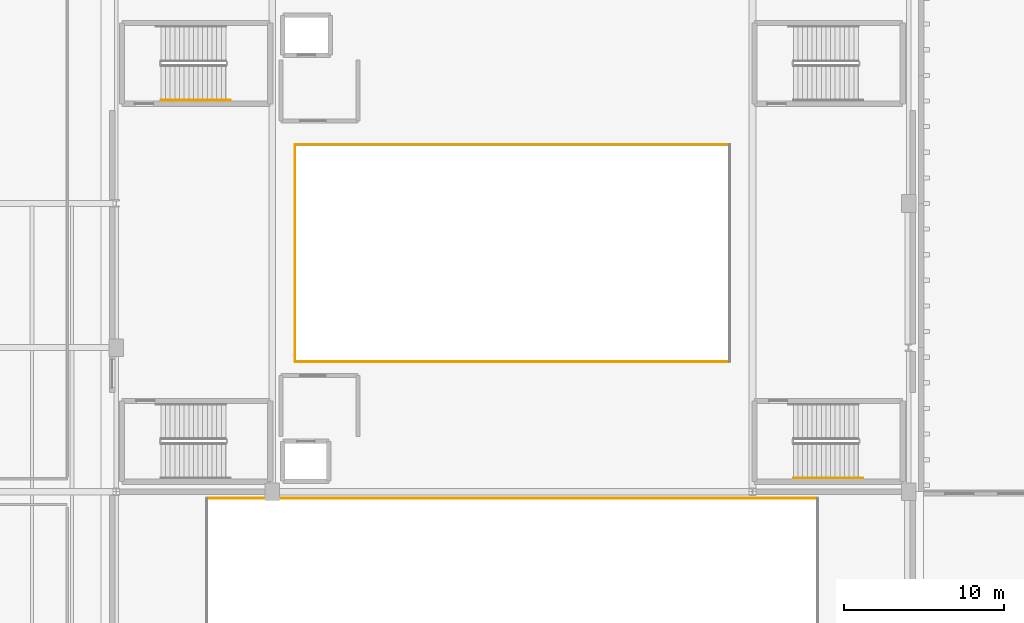
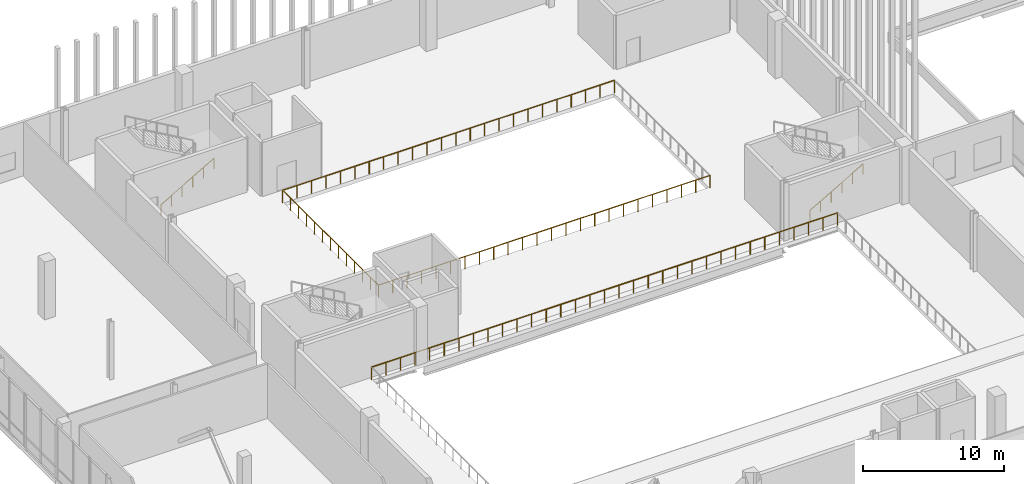
# One storey, part 55 of 60: 6 railings.
"""IFC4 building model written with IfcOpenShell, lengths in metres."""

from ifc_helpers import new_model, si_unit, direction, frame, origin, origin_2d, place, context, subcontext, project, spatial, circle, extrude, material, type_object, element, save


model = new_model("IFC4")

# Units and contexts
model_context = context("Model", 3, precision=1e-05, world=origin(), true_north=direction((0.0, 1.0)))
body_context = subcontext(model_context, "Body", "Model", "MODEL_VIEW")
ifc_project = project(units=[si_unit("LENGTHUNIT", "METRE"), si_unit("AREAUNIT", "SQUARE_METRE"), si_unit("VOLUMEUNIT", "CUBIC_METRE"), si_unit("PLANEANGLEUNIT", "RADIAN"), si_unit("MASSUNIT", "GRAM", prefix="KILO")], contexts=[model_context])

# Site, building, storey
site_placement = place(None, origin())
site = spatial("IfcSite", under=ifc_project, at=site_placement, CompositionType="ELEMENT")
building_placement = place(site_placement, origin())
building = spatial("IfcBuilding", under=site, at=building_placement, Name="Trimount Lyric Opera House", CompositionType="ELEMENT")
storey_placement = place(building_placement, frame((0.0, 0.0, 15.0)))
storey = spatial("IfcBuildingStorey", under=building, at=storey_placement, Name="L03", CompositionType="ELEMENT", Elevation=15.0)

# Railings
ifc_material_1 = material(Name="Bronze and Laminated Acoustic Glass", Category="glass")
railing_type_1 = type_object("IfcRailingType", Name="RL-BAL112", PredefinedType="BALUSTRADE", material=ifc_material_1)
railing_1_placement = place(storey_placement, frame((108.080078125, 83.580078125, 0.0)))
element("IfcRailing", 1, at=railing_1_placement, inside=storey, type_object=railing_type_1, Name="L03 atrium and balcony guard GRD-AUD-L03-N", PredefinedType="BALUSTRADE", context=body_context, shape_type="SweptSolid", body=[
    extrude(circle(Radius=0.02734375, at=origin_2d()), frame((0.0, 0.0, 1.0927734375), z_axis=(-1.0, 0.0, 0.0), x_axis=(0.0, -1.0, 0.0)), (0.0, 0.0, 1.0), 38.16015625),
    extrude(circle(Radius=0.02099609375, at=origin_2d()), origin(), (0.0, 0.0, 1.0), 1.065185546875),
    extrude(circle(Radius=0.02099609375, at=origin_2d()), frame((-1.1923828125, 0.0, 0.0)), (0.0, 0.0, 1.0), 1.065185546875),
    extrude(circle(Radius=0.02099609375, at=origin_2d()), frame((-2.385009765625, 0.0, 0.0)), (0.0, 0.0, 1.0), 1.065185546875),
    extrude(circle(Radius=0.02099609375, at=origin_2d()), frame((-3.57763671875, 0.0, 0.0)), (0.0, 0.0, 1.0), 1.065185546875),
    extrude(circle(Radius=0.02099609375, at=origin_2d()), frame((-4.77001953125, 0.0, 0.0)), (0.0, 0.0, 1.0), 1.065185546875),
    extrude(circle(Radius=0.02099609375, at=origin_2d()), frame((-5.96240234375, 0.0, 0.0)), (0.0, 0.0, 1.0), 1.065185546875),
    extrude(circle(Radius=0.02099609375, at=origin_2d()), frame((-7.155029296875, 0.0, 0.0)), (0.0, 0.0, 1.0), 1.065185546875),
    extrude(circle(Radius=0.02099609375, at=origin_2d()), frame((-8.34765625, 0.0, 0.0)), (0.0, 0.0, 1.0), 1.065185546875),
    extrude(circle(Radius=0.02099609375, at=origin_2d()), frame((-9.5400390625, 0.0, 0.0)), (0.0, 0.0, 1.0), 1.065185546875),
    extrude(circle(Radius=0.02099609375, at=origin_2d()), frame((-10.732421875, 0.0, 0.0)), (0.0, 0.0, 1.0), 1.065185546875),
    extrude(circle(Radius=0.02099609375, at=origin_2d()), frame((-11.925048828125, 0.0, 0.0)), (0.0, 0.0, 1.0), 1.065185546875),
    extrude(circle(Radius=0.02099609375, at=origin_2d()), frame((-13.11767578125, 0.0, 0.0)), (0.0, 0.0, 1.0), 1.065185546875),
    extrude(circle(Radius=0.02099609375, at=origin_2d()), frame((-14.31005859375, 0.0, 0.0)), (0.0, 0.0, 1.0), 1.065185546875),
    extrude(circle(Radius=0.02099609375, at=origin_2d()), frame((-15.50244140625, 0.0, 0.0)), (0.0, 0.0, 1.0), 1.065185546875),
    extrude(circle(Radius=0.02099609375, at=origin_2d()), frame((-16.695068359375, 0.0, 0.0)), (0.0, 0.0, 1.0), 1.065185546875),
    extrude(circle(Radius=0.02099609375, at=origin_2d()), frame((-17.8876953125, 0.0, 0.0)), (0.0, 0.0, 1.0), 1.065185546875),
    extrude(circle(Radius=0.02099609375, at=origin_2d()), frame((-19.080078125, 0.0, 0.0)), (0.0, 0.0, 1.0), 1.065185546875),
    extrude(circle(Radius=0.02099609375, at=origin_2d()), frame((-20.2724609375, 0.0, 0.0)), (0.0, 0.0, 1.0), 1.065185546875),
    extrude(circle(Radius=0.02099609375, at=origin_2d()), frame((-21.465087890625, 0.0, 0.0)), (0.0, 0.0, 1.0), 1.065185546875),
    extrude(circle(Radius=0.02099609375, at=origin_2d()), frame((-22.65771484375, 0.0, 0.0)), (0.0, 0.0, 1.0), 1.065185546875),
    extrude(circle(Radius=0.02099609375, at=origin_2d()), frame((-23.85009765625, 0.0, 0.0)), (0.0, 0.0, 1.0), 1.065185546875),
    extrude(circle(Radius=0.02099609375, at=origin_2d()), frame((-25.04248046875, 0.0, 0.0)), (0.0, 0.0, 1.0), 1.065185546875),
    extrude(circle(Radius=0.02099609375, at=origin_2d()), frame((-26.235107421875, 0.0, 0.0)), (0.0, 0.0, 1.0), 1.065185546875),
    extrude(circle(Radius=0.02099609375, at=origin_2d()), frame((-27.427734375, 0.0, 0.0)), (0.0, 0.0, 1.0), 1.065185546875),
    extrude(circle(Radius=0.02099609375, at=origin_2d()), frame((-28.6201171875, 0.0, 0.0)), (0.0, 0.0, 1.0), 1.065185546875),
    extrude(circle(Radius=0.02099609375, at=origin_2d()), frame((-29.8125, 0.0, 0.0)), (0.0, 0.0, 1.0), 1.065185546875),
    extrude(circle(Radius=0.02099609375, at=origin_2d()), frame((-31.005126953125, 0.0, 0.0)), (0.0, 0.0, 1.0), 1.065185546875),
    extrude(circle(Radius=0.02099609375, at=origin_2d()), frame((-32.19775390625, 0.0, 0.0)), (0.0, 0.0, 1.0), 1.065185546875),
    extrude(circle(Radius=0.02099609375, at=origin_2d()), frame((-33.39013671875, 0.0, 0.0)), (0.0, 0.0, 1.0), 1.065185546875),
    extrude(circle(Radius=0.02099609375, at=origin_2d()), frame((-34.58251953125, 0.0, 0.0)), (0.0, 0.0, 1.0), 1.065185546875),
    extrude(circle(Radius=0.02099609375, at=origin_2d()), frame((-35.775146484375, 0.0, 0.0)), (0.0, 0.0, 1.0), 1.065185546875),
    extrude(circle(Radius=0.02099609375, at=origin_2d()), frame((-36.9677734375, 0.0, 0.0)), (0.0, 0.0, 1.0), 1.065185546875),
    extrude(circle(Radius=0.02099609375, at=origin_2d()), frame((-38.16015625, 0.0, 0.0)), (0.0, 0.0, 1.0), 1.065185546875),
])
ifc_material_2 = material(Name="Brushed Stainless Steel 316", Category="steel")
railing_type_2 = type_object("IfcRailingType", Name="RL-GRD110", PredefinedType="GUARDRAIL", material=ifc_material_2)
railing_2_placement = place(storey_placement, frame((75.419921875, 92.1201171875, 0.0)))
element("IfcRailing", 2, at=railing_2_placement, inside=storey, type_object=railing_type_2, Name="L03 atrium and balcony guard GRD-FLY-L03-S", PredefinedType="GUARDRAIL", context=body_context, shape_type="SweptSolid", body=[
    extrude(circle(Radius=0.02392578125, at=origin_2d()), frame((0.0, 0.0, 1.076171875), z_axis=(1.0, 0.0, 0.0), x_axis=(0.0, 1.0, 0.0)), (0.0, 0.0, 1.0), 27.16015625),
    extrude(circle(Radius=0.02099609375, at=origin_2d()), origin(), (0.0, 0.0, 1.0), 1.052001953125),
    extrude(circle(Radius=0.02099609375, at=origin_2d()), frame((1.180908203125, 0.0, 0.0)), (0.0, 0.0, 1.0), 1.052001953125),
    extrude(circle(Radius=0.02099609375, at=origin_2d()), frame((2.36181640625, 0.0, 0.0)), (0.0, 0.0, 1.0), 1.052001953125),
    extrude(circle(Radius=0.02099609375, at=origin_2d()), frame((3.542724609375, 0.0, 0.0)), (0.0, 0.0, 1.0), 1.052001953125),
    extrude(circle(Radius=0.02099609375, at=origin_2d()), frame((4.723388671875, 0.0, 0.0)), (0.0, 0.0, 1.0), 1.052001953125),
    extrude(circle(Radius=0.02099609375, at=origin_2d()), frame((5.904296875, 0.0, 0.0)), (0.0, 0.0, 1.0), 1.052001953125),
    extrude(circle(Radius=0.02099609375, at=origin_2d()), frame((7.085205078125, 0.0, 0.0)), (0.0, 0.0, 1.0), 1.052001953125),
    extrude(circle(Radius=0.02099609375, at=origin_2d()), frame((8.26611328125, 0.0, 0.0)), (0.0, 0.0, 1.0), 1.052001953125),
    extrude(circle(Radius=0.02099609375, at=origin_2d()), frame((9.447021484375, 0.0, 0.0)), (0.0, 0.0, 1.0), 1.052001953125),
    extrude(circle(Radius=0.02099609375, at=origin_2d()), frame((10.6279296875, 0.0, 0.0)), (0.0, 0.0, 1.0), 1.052001953125),
    extrude(circle(Radius=0.02099609375, at=origin_2d()), frame((11.808837890625, 0.0, 0.0)), (0.0, 0.0, 1.0), 1.052001953125),
    extrude(circle(Radius=0.02099609375, at=origin_2d()), frame((12.98974609375, 0.0, 0.0)), (0.0, 0.0, 1.0), 1.052001953125),
    extrude(circle(Radius=0.02099609375, at=origin_2d()), frame((14.17041015625, 0.0, 0.0)), (0.0, 0.0, 1.0), 1.052001953125),
    extrude(circle(Radius=0.02099609375, at=origin_2d()), frame((15.351318359375, 0.0, 0.0)), (0.0, 0.0, 1.0), 1.052001953125),
    extrude(circle(Radius=0.02099609375, at=origin_2d()), frame((16.5322265625, 0.0, 0.0)), (0.0, 0.0, 1.0), 1.052001953125),
    extrude(circle(Radius=0.02099609375, at=origin_2d()), frame((17.713134765625, 0.0, 0.0)), (0.0, 0.0, 1.0), 1.052001953125),
    extrude(circle(Radius=0.02099609375, at=origin_2d()), frame((18.89404296875, 0.0, 0.0)), (0.0, 0.0, 1.0), 1.052001953125),
    extrude(circle(Radius=0.02099609375, at=origin_2d()), frame((20.074951171875, 0.0, 0.0)), (0.0, 0.0, 1.0), 1.052001953125),
    extrude(circle(Radius=0.02099609375, at=origin_2d()), frame((21.255859375, 0.0, 0.0)), (0.0, 0.0, 1.0), 1.052001953125),
    extrude(circle(Radius=0.02099609375, at=origin_2d()), frame((22.436767578125, 0.0, 0.0)), (0.0, 0.0, 1.0), 1.052001953125),
    extrude(circle(Radius=0.02099609375, at=origin_2d()), frame((23.617431640625, 0.0, 0.0)), (0.0, 0.0, 1.0), 1.052001953125),
    extrude(circle(Radius=0.02099609375, at=origin_2d()), frame((24.79833984375, 0.0, 0.0)), (0.0, 0.0, 1.0), 1.052001953125),
    extrude(circle(Radius=0.02099609375, at=origin_2d()), frame((25.979248046875, 0.0, 0.0)), (0.0, 0.0, 1.0), 1.052001953125),
    extrude(circle(Radius=0.02099609375, at=origin_2d()), frame((27.16015625, 0.0, 0.0)), (0.0, 0.0, 1.0), 1.052001953125),
])
railing_3_placement = place(storey_placement, frame((102.580078125, 105.679931640625, 0.0)))
element("IfcRailing", 3, at=railing_3_placement, inside=storey, type_object=railing_type_2, Name="L03 atrium and balcony guard GRD-FLY-L03-N", PredefinedType="GUARDRAIL", context=body_context, shape_type="SweptSolid", body=[
    extrude(circle(Radius=0.02392578125, at=origin_2d()), frame((0.0, 0.0, 1.076171875), z_axis=(-1.0, 0.0, 0.0), x_axis=(0.0, -1.0, 0.0)), (0.0, 0.0, 1.0), 27.16015625),
    extrude(circle(Radius=0.02099609375, at=origin_2d()), origin(), (0.0, 0.0, 1.0), 1.052001953125),
    extrude(circle(Radius=0.02099609375, at=origin_2d()), frame((-1.180908203125, 0.0, 0.0)), (0.0, 0.0, 1.0), 1.052001953125),
    extrude(circle(Radius=0.02099609375, at=origin_2d()), frame((-2.36181640625, 0.0, 0.0)), (0.0, 0.0, 1.0), 1.052001953125),
    extrude(circle(Radius=0.02099609375, at=origin_2d()), frame((-3.542724609375, 0.0, 0.0)), (0.0, 0.0, 1.0), 1.052001953125),
    extrude(circle(Radius=0.02099609375, at=origin_2d()), frame((-4.723388671875, 0.0, 0.0)), (0.0, 0.0, 1.0), 1.052001953125),
    extrude(circle(Radius=0.02099609375, at=origin_2d()), frame((-5.904296875, 0.0, 0.0)), (0.0, 0.0, 1.0), 1.052001953125),
    extrude(circle(Radius=0.02099609375, at=origin_2d()), frame((-7.085205078125, 0.0, 0.0)), (0.0, 0.0, 1.0), 1.052001953125),
    extrude(circle(Radius=0.02099609375, at=origin_2d()), frame((-8.26611328125, 0.0, 0.0)), (0.0, 0.0, 1.0), 1.052001953125),
    extrude(circle(Radius=0.02099609375, at=origin_2d()), frame((-9.447021484375, 0.0, 0.0)), (0.0, 0.0, 1.0), 1.052001953125),
    extrude(circle(Radius=0.02099609375, at=origin_2d()), frame((-10.6279296875, 0.0, 0.0)), (0.0, 0.0, 1.0), 1.052001953125),
    extrude(circle(Radius=0.02099609375, at=origin_2d()), frame((-11.808837890625, 0.0, 0.0)), (0.0, 0.0, 1.0), 1.052001953125),
    extrude(circle(Radius=0.02099609375, at=origin_2d()), frame((-12.98974609375, 0.0, 0.0)), (0.0, 0.0, 1.0), 1.052001953125),
    extrude(circle(Radius=0.02099609375, at=origin_2d()), frame((-14.17041015625, 0.0, 0.0)), (0.0, 0.0, 1.0), 1.052001953125),
    extrude(circle(Radius=0.02099609375, at=origin_2d()), frame((-15.351318359375, 0.0, 0.0)), (0.0, 0.0, 1.0), 1.052001953125),
    extrude(circle(Radius=0.02099609375, at=origin_2d()), frame((-16.5322265625, 0.0, 0.0)), (0.0, 0.0, 1.0), 1.052001953125),
    extrude(circle(Radius=0.02099609375, at=origin_2d()), frame((-17.713134765625, 0.0, 0.0)), (0.0, 0.0, 1.0), 1.052001953125),
    extrude(circle(Radius=0.02099609375, at=origin_2d()), frame((-18.89404296875, 0.0, 0.0)), (0.0, 0.0, 1.0), 1.052001953125),
    extrude(circle(Radius=0.02099609375, at=origin_2d()), frame((-20.074951171875, 0.0, 0.0)), (0.0, 0.0, 1.0), 1.052001953125),
    extrude(circle(Radius=0.02099609375, at=origin_2d()), frame((-21.255859375, 0.0, 0.0)), (0.0, 0.0, 1.0), 1.052001953125),
    extrude(circle(Radius=0.02099609375, at=origin_2d()), frame((-22.436767578125, 0.0, 0.0)), (0.0, 0.0, 1.0), 1.052001953125),
    extrude(circle(Radius=0.02099609375, at=origin_2d()), frame((-23.617431640625, 0.0, 0.0)), (0.0, 0.0, 1.0), 1.052001953125),
    extrude(circle(Radius=0.02099609375, at=origin_2d()), frame((-24.79833984375, 0.0, 0.0)), (0.0, 0.0, 1.0), 1.052001953125),
    extrude(circle(Radius=0.02099609375, at=origin_2d()), frame((-25.979248046875, 0.0, 0.0)), (0.0, 0.0, 1.0), 1.052001953125),
    extrude(circle(Radius=0.02099609375, at=origin_2d()), frame((-27.16015625, 0.0, 0.0)), (0.0, 0.0, 1.0), 1.052001953125),
])
railing_4_placement = place(storey_placement, frame((75.419921875, 105.679931640625, 0.0)))
element("IfcRailing", 4, at=railing_4_placement, inside=storey, type_object=railing_type_2, Name="L03 atrium and balcony guard GRD-FLY-L03-W", PredefinedType="GUARDRAIL", context=body_context, shape_type="SweptSolid", body=[
    extrude(circle(Radius=0.02392578125, at=origin_2d()), frame((0.0, 0.0, 1.076171875), z_axis=(0.0, -1.0, 0.0), x_axis=(1.0, 0.0, 0.0)), (0.0, 0.0, 1.0), 13.559814453125),
    extrude(circle(Radius=0.02099609375, at=origin_2d()), origin(), (0.0, 0.0, 1.0), 1.052001953125),
    extrude(circle(Radius=0.02099609375, at=origin_2d()), frame((0.0, -1.1298828125, 0.0)), (0.0, 0.0, 1.0), 1.052001953125),
    extrude(circle(Radius=0.02099609375, at=origin_2d()), frame((0.0, -2.260009765625, 0.0)), (0.0, 0.0, 1.0), 1.052001953125),
    extrude(circle(Radius=0.02099609375, at=origin_2d()), frame((0.0, -3.389892578125, 0.0)), (0.0, 0.0, 1.0), 1.052001953125),
    extrude(circle(Radius=0.02099609375, at=origin_2d()), frame((0.0, -4.52001953125, 0.0)), (0.0, 0.0, 1.0), 1.052001953125),
    extrude(circle(Radius=0.02099609375, at=origin_2d()), frame((0.0, -5.64990234375, 0.0)), (0.0, 0.0, 1.0), 1.052001953125),
    extrude(circle(Radius=0.02099609375, at=origin_2d()), frame((0.0, -6.77978515625, 0.0)), (0.0, 0.0, 1.0), 1.052001953125),
    extrude(circle(Radius=0.02099609375, at=origin_2d()), frame((0.0, -7.909912109375, 0.0)), (0.0, 0.0, 1.0), 1.052001953125),
    extrude(circle(Radius=0.02099609375, at=origin_2d()), frame((0.0, -9.039794921875, 0.0)), (0.0, 0.0, 1.0), 1.052001953125),
    extrude(circle(Radius=0.02099609375, at=origin_2d()), frame((0.0, -10.169921875, 0.0)), (0.0, 0.0, 1.0), 1.052001953125),
    extrude(circle(Radius=0.02099609375, at=origin_2d()), frame((0.0, -11.2998046875, 0.0)), (0.0, 0.0, 1.0), 1.052001953125),
    extrude(circle(Radius=0.02099609375, at=origin_2d()), frame((0.0, -12.429931640625, 0.0)), (0.0, 0.0, 1.0), 1.052001953125),
    extrude(circle(Radius=0.02099609375, at=origin_2d()), frame((0.0, -13.559814453125, 0.0)), (0.0, 0.0, 1.0), 1.052001953125),
])
ifc_material_3 = material(Name="Brushed Stainless Steel 316", Category="steel")
railing_type_3 = type_object("IfcRailingType", Name="RL-HND092", PredefinedType="HANDRAIL", material=ifc_material_3)
for number, where, name in (
    (5, (67.050048828125, 108.449951171875, 0.166748046875), "L03 ST-01 stair handrail 1"),
    (6, (106.550048828125, 84.85009765625, 0.166748046875), "L03 ST-04 stair handrail 1"),
):
    element("IfcRailing", number, at=place(storey_placement, frame(where)), inside=storey, type_object=railing_type_3, Name=name, PredefinedType="HANDRAIL", context=body_context, shape_type="SweptSolid", body=[
        extrude(circle(Radius=0.0224609375, at=origin_2d()), frame((0.0, 0.0, 0.8974609375), z_axis=(0.866754379005, 0.0, 0.498735246875), x_axis=(0.0, 1.0, 0.0)), (0.0, 0.0, 1.0), 5.0185546875),
        extrude(circle(Radius=0.02099609375, at=origin_2d()), origin(), (0.0, 0.0, 1.0), 0.875),
        extrude(circle(Radius=0.02099609375, at=origin_2d()), frame((0.869873046875, 0.0, 0.50048828125)), (0.0, 0.0, 1.0), 0.875),
        extrude(circle(Radius=0.02099609375, at=origin_2d()), frame((1.739990234375, 0.0, 1.001220703125)), (0.0, 0.0, 1.0), 0.875),
        extrude(circle(Radius=0.02099609375, at=origin_2d()), frame((2.60986328125, 0.0, 1.501708984375)), (0.0, 0.0, 1.0), 0.875),
        extrude(circle(Radius=0.02099609375, at=origin_2d()), frame((3.47998046875, 0.0, 2.00244140625)), (0.0, 0.0, 1.0), 0.875),
        extrude(circle(Radius=0.02099609375, at=origin_2d()), frame((4.349853515625, 0.0, 2.5029296875)), (0.0, 0.0, 1.0), 0.875),
    ])

save(model, "model.ifc")
